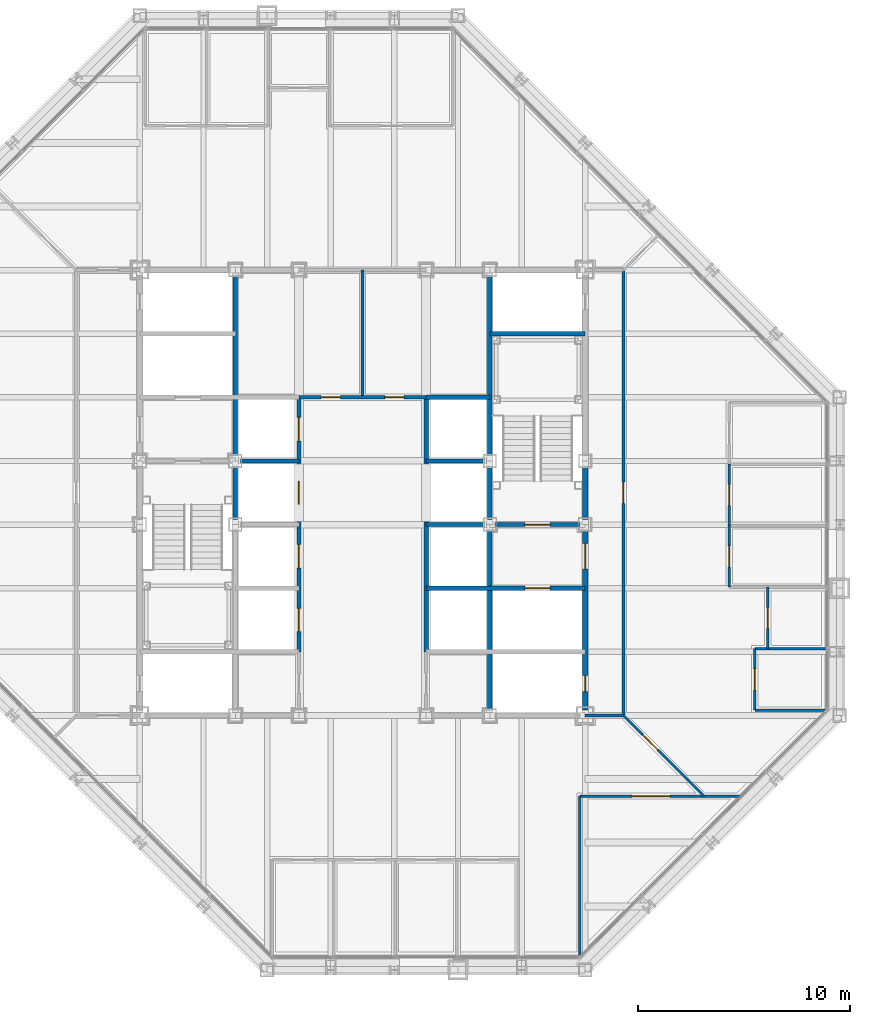
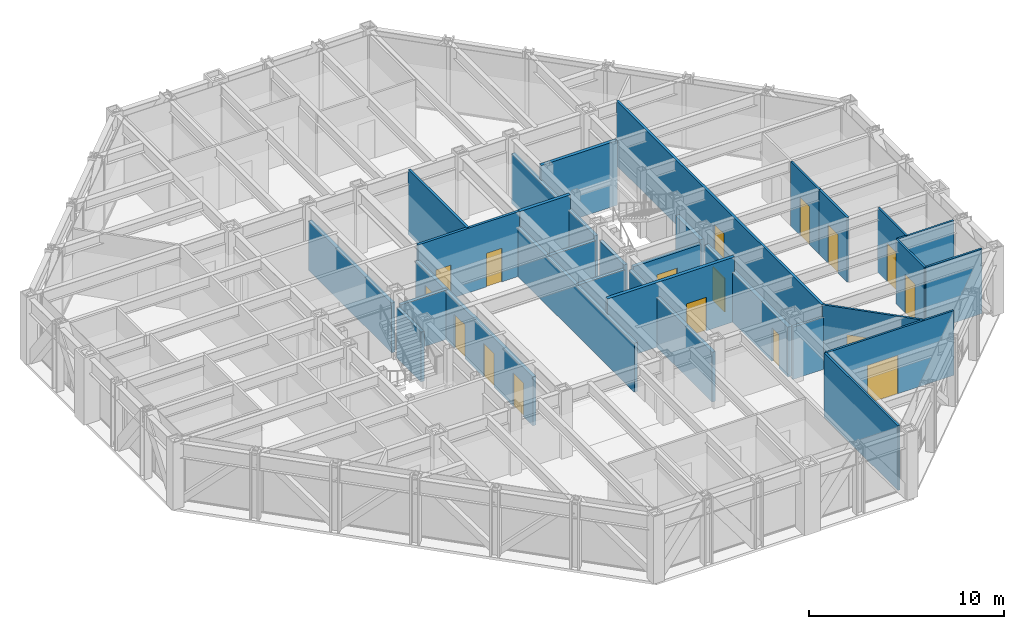
# One storey, part 11 of 15: 29 walls, 17 doors, 17 openings.
"""IFC4 building model written with IfcOpenShell, lengths in metres."""

import ifcopenshell
import ifcopenshell.guid

model = None  # the IFC model being written
_history = None  # IfcOwnerHistory: only IFC2X3 demands one
_inside = {}  # id of a spatial element -> (the spatial element, [elements in it])
_under = {}  # id of a project, library or spatial element -> (it, [spatial elements below it])
_declared = {}  # id of a project -> (the project, [libraries it declares])
_typed = {}  # id of a type object -> (the type object, [elements of that type])
_made_of = {}  # id of a material, layer set ... -> (it, [elements and type objects made of it])


def new_model(schema):
    """Start an empty IFC model of exactly this schema.

    Asked for "IFC4X3", IfcOpenShell would pick the latest addendum, in which some entities
    have other attributes; the version numbers below select the first issue.
    IFC2X3 requires an IfcOwnerHistory on every rooted entity: one is made here for all.
    """
    global model, _history
    if schema == "IFC4X3":
        model = ifcopenshell.file(schema_version=(4, 3, 0, 0))
    else:
        model = ifcopenshell.file(schema=schema)
    _inside.clear()
    _under.clear()
    _declared.clear()
    _typed.clear()
    _made_of.clear()
    _history = None
    if model.schema == "IFC2X3":
        org = make("IfcOrganization", Name="unknown")
        user = make(
            "IfcPersonAndOrganization",
            ThePerson=make("IfcPerson", FamilyName="unknown"),
            TheOrganization=org,
        )
        app = make(
            "IfcApplication",
            ApplicationDeveloper=org,
            Version="unknown",
            ApplicationFullName="unknown",
            ApplicationIdentifier="unknown",
        )
        _history = make(
            "IfcOwnerHistory",
            OwningUser=user,
            OwningApplication=app,
            ChangeAction="ADDED",
            CreationDate=0,
        )
    return model


def make(cls, **values):
    """One entity of the class cls with the attributes given. An attribute that is None is left unset."""
    return model.create_entity(
        cls, **{name: value for name, value in values.items() if value is not None}
    )


def rooted(cls, **values):
    """An entity with a GlobalId (a new one), such as an element, a storey or a relation."""
    return make(cls, GlobalId=ifcopenshell.guid.new(), OwnerHistory=_history, **values)


def si_unit(unit_type, name, prefix=None):
    """IfcSIUnit, for example si_unit("LENGTHUNIT", "METRE", prefix="MILLI")."""
    return make("IfcSIUnit", UnitType=unit_type, Prefix=prefix, Name=name)


def assignment(units):
    """IfcUnitAssignment: the units of a project."""
    return None if units is None else make("IfcUnitAssignment", Units=units)


def point(xyz):
    """IfcCartesianPoint."""
    return None if xyz is None else make("IfcCartesianPoint", Coordinates=xyz)


def direction(xyz):
    """IfcDirection."""
    return None if xyz is None else make("IfcDirection", DirectionRatios=xyz)


def frame(location, z_axis=None, x_axis=None):
    """IfcAxis2Placement3D, a coordinate frame: its origin and axes. An axis left out is left unset."""
    return make(
        "IfcAxis2Placement3D",
        Location=point(location),
        Axis=direction(z_axis),
        RefDirection=direction(x_axis),
    )


def frame_2d(location, x_axis=None):
    """IfcAxis2Placement2D, a coordinate frame in the plane: its origin and x axis."""
    return make(
        "IfcAxis2Placement2D", Location=point(location), RefDirection=direction(x_axis)
    )


def origin():
    """The frame at (0, 0, 0) with its axes left unset."""
    return frame((0.0, 0.0, 0.0))


def place(relative_to, where):
    """IfcLocalPlacement: puts the frame where relative to a parent placement (None: the world)."""
    return make(
        "IfcLocalPlacement", PlacementRelTo=relative_to, RelativePlacement=where
    )


def context(
    kind, dimensions, precision=None, world=None, true_north=None, identifier=None
):
    """IfcGeometricRepresentationContext, for example the 3D "Model" context."""
    return make(
        "IfcGeometricRepresentationContext",
        ContextIdentifier=identifier,
        ContextType=kind,
        CoordinateSpaceDimension=dimensions,
        Precision=precision,
        WorldCoordinateSystem=world,
        TrueNorth=true_north,
    )


def subcontext(parent, identifier, kind, view, scale=None):
    """IfcGeometricRepresentationSubContext, for example "Body" below "Model"."""
    return make(
        "IfcGeometricRepresentationSubContext",
        ContextIdentifier=identifier,
        ContextType=kind,
        ParentContext=parent,
        TargetScale=scale,
        TargetView=view,
    )


def project(units=None, contexts=None):
    """IfcProject with its units and contexts."""
    return rooted(
        "IfcProject",
        Name="project",
        RepresentationContexts=contexts,
        UnitsInContext=assignment(units),
    )


def spatial(cls, under=None, at=None, **own):
    """A site, building, storey or space (cls), placed at a placement, below another one or the project."""
    s = rooted(cls, ObjectPlacement=at, **own)
    if under is not None:
        _under.setdefault(under.id(), (under, []))[1].append(s)
    return s


def profile(cls, at=None, kind="AREA", **sizes):
    """A parametric profile (cls). Its sizes go by their IFC names, for example OverallWidth=200.0."""
    return make(cls, ProfileType=kind, Position=at, **sizes)


def rectangle(**sizes):
    """IfcRectangleProfileDef."""
    return profile("IfcRectangleProfileDef", **sizes)


def extrude(swept, where, along, depth):
    """IfcExtrudedAreaSolid: the profile swept, set in the frame where, extruded along a direction by depth."""
    return make(
        "IfcExtrudedAreaSolid",
        SweptArea=swept,
        Position=where,
        ExtrudedDirection=direction(along),
        Depth=depth,
    )


def shape(context_of_items, identifier, shape_type, items):
    """IfcShapeRepresentation: the items that make up one representation, for example the "Body"."""
    return make(
        "IfcShapeRepresentation",
        ContextOfItems=context_of_items,
        RepresentationIdentifier=identifier,
        RepresentationType=shape_type,
        Items=items,
    )


def material(Name=None, Category=None):
    """IfcMaterial."""
    return make("IfcMaterial", Name=Name, Category=Category)


def layer(
    of_material, thickness, ventilated=None, Name=None, Category=None, Priority=None
):
    """IfcMaterialLayer: one layer of a wall or slab, of a material (None: an air gap)."""
    return make(
        "IfcMaterialLayer",
        Material=of_material,
        LayerThickness=thickness,
        IsVentilated=ventilated,
        Name=Name,
        Category=Category,
        Priority=Priority,
    )


def layer_set(layers, Name=None):
    """IfcMaterialLayerSet."""
    return make("IfcMaterialLayerSet", MaterialLayers=layers, LayerSetName=Name)


def made_of(thing, what):
    """Note that an element or type object is made of a material, layer set ...; save() writes the relation."""
    if what is not None:
        _made_of.setdefault(what.id(), (what, []))[1].append(thing)
    return thing


def type_object(cls, material=None, **own):
    """A type object (cls), such as IfcWallType, which elements share."""
    return made_of(rooted(cls, **own), material)


def element(
    cls,
    number,
    at=None,
    inside=None,
    cuts=None,
    type_object=None,
    material=None,
    context=None,
    identifier="Body",
    shape_type=None,
    held_by="IfcProductDefinitionShape",
    body=None,
    shapes=None,
    **own,
):
    """One element of the class cls, such as IfcWall. Its Tag is "e" and its number.

    at: its placement. inside: the storey or other place that contains it. cuts: it is an
    opening in that element (IfcRelVoidsElement). A single representation is given by context,
    identifier, shape_type and body (its items); several are given by shapes. held_by: the class
    of the entity that holds the representations. save() writes the other relations.
    """
    e = rooted(cls, Tag="e%d" % number, ObjectPlacement=at, **own)
    if body is not None:
        shapes = [shape(context, identifier, shape_type, body)]
    if shapes is not None:
        e.Representation = make(held_by, Representations=shapes)
    if inside is not None:
        _inside.setdefault(inside.id(), (inside, []))[1].append(e)
    if cuts is not None:
        rooted(
            "IfcRelVoidsElement", RelatingBuildingElement=cuts, RelatedOpeningElement=e
        )
    if type_object is not None:
        _typed.setdefault(type_object.id(), (type_object, []))[1].append(e)
    return made_of(e, material)


def fill(opening, filler):
    """IfcRelFillsElement: the door or window that sits in an opening."""
    return rooted(
        "IfcRelFillsElement",
        RelatingOpeningElement=opening,
        RelatedBuildingElement=filler,
    )


def aggregate(whole, parts):
    """IfcRelAggregates: a whole, such as a stair, and the parts it consists of."""
    return rooted("IfcRelAggregates", RelatingObject=whole, RelatedObjects=parts)


def save(model, path):
    """Write the relations noted so far, then the file.

    IfcRelAggregates (storeys below a building ...), IfcRelContainedInSpatialStructure (elements
    in a storey), IfcRelDefinesByType, IfcRelAssociatesMaterial and IfcRelDeclares: one each for
    every whole, place, type object, material and project.
    """
    for whole, parts in _under.values():
        aggregate(whole, parts)
    for where, things in _inside.values():
        rooted(
            "IfcRelContainedInSpatialStructure",
            RelatedElements=things,
            RelatingStructure=where,
        )
    for kind, things in _typed.values():
        rooted("IfcRelDefinesByType", RelatedObjects=things, RelatingType=kind)
    for what, things in _made_of.values():
        rooted("IfcRelAssociatesMaterial", RelatedObjects=things, RelatingMaterial=what)
    for by, libraries in _declared.values():
        rooted("IfcRelDeclares", RelatingContext=by, RelatedDefinitions=libraries)
    model.write(path)


model = new_model("IFC4")

# Units and contexts
model_context = context("Model", 3, precision=1e-05, world=origin(), true_north=direction((0.0, 1.0)))
body_context = subcontext(model_context, "Body", "Model", "MODEL_VIEW")
ifc_project = project(units=[si_unit("LENGTHUNIT", "METRE"), si_unit("AREAUNIT", "SQUARE_METRE"), si_unit("VOLUMEUNIT", "CUBIC_METRE"), si_unit("PLANEANGLEUNIT", "RADIAN"), si_unit("MASSUNIT", "GRAM", prefix="KILO")], contexts=[model_context])

# Site, building, storey
site_placement = place(None, origin())
site = spatial("IfcSite", under=ifc_project, at=site_placement, CompositionType="ELEMENT")
building_placement = place(site_placement, origin())
building = spatial("IfcBuilding", under=site, at=building_placement, Name="Chuquiago Exchange Tower", CompositionType="ELEMENT")
storey_placement = place(building_placement, frame((0.0, 0.0, 184.5)))
storey = spatial("IfcBuildingStorey", under=building, at=storey_placement, Name="L40", CompositionType="ELEMENT", Elevation=184.5)

# Wall, openings, doors
ifc_material_1 = material(Name="Concrete masonry, fully grouted", Category="masonry")
ifc_layer_1 = layer(ifc_material_1, 0.25)
ifc_layer_set_1 = layer_set([ifc_layer_1], Name="W1 core wall 250")
wall_type_1 = type_object("IfcWallType", Name="W1 core wall 250", PredefinedType="SOLIDWALL", material=ifc_layer_set_1)
wall_1_placement = place(storey_placement, frame((33.0, 12.25, 0.0), z_axis=(0.0, 0.0, 1.0), x_axis=(0.0, 1.0, 0.0)))
wall_1 = element("IfcWall", 1, at=wall_1_placement, inside=storey, type_object=wall_type_1, Name="CW-L40-25-0", PredefinedType="SOLIDWALL", context=body_context, shape_type="SweptSolid", body=[
    extrude(rectangle(XDim=8.5, YDim=0.25, at=frame_2d((4.25, 0.0))), origin(), (0.0, 0.0, 1.0), 3.11279296875),
])
opening_1_placement = place(wall_1_placement, frame((6.64990234375, 0.0, 0.0)))
opening_1 = element("IfcOpeningElement", 2, at=opening_1_placement, cuts=wall_1, Name="Opening L40-004", PredefinedType="OPENING", context=body_context, shape_type="SweptSolid", body=[
    extrude(rectangle(XDim=1.199951171875, YDim=2.10009765625, at=frame_2d((0.60009765625, 1.050048828125))), frame((0.0, 0.135009765625, 0.0), z_axis=(0.0, -1.0, 0.0), x_axis=(1.0, 0.0, 0.0)), (0.0, 0.0, 1.0), 0.27001953125),
])
opening_2_placement = place(wall_1_placement, frame((0.875, 0.0, 0.0)))
opening_2 = element("IfcOpeningElement", 3, at=opening_2_placement, cuts=wall_1, Name="Opening L40-009", PredefinedType="OPENING", context=body_context, shape_type="SweptSolid", body=[
    extrude(rectangle(XDim=0.75, YDim=2.10009765625, at=frame_2d((0.375, 1.050048828125))), frame((0.0, 0.135009765625, 0.0), z_axis=(0.0, -1.0, 0.0), x_axis=(1.0, 0.0, 0.0)), (0.0, 0.0, 1.0), 0.27001953125),
])
ifc_material_2 = material(Name="Steel door, painted", Category="steel")
door_type_1 = type_object("IfcDoorType", Name="D5 firefighting lobby door 1200x2100", OperationType="SINGLE_SWING_LEFT", PredefinedType="DOOR", material=ifc_material_2)
door_1_placement = place(opening_1_placement, origin())
door_1 = element("IfcDoor", 4, at=door_1_placement, inside=storey, type_object=door_type_1, Name="Firefighting lobby 2 door", OperationType="SINGLE_SWING_RIGHT", OverallHeight=2.10009765625, OverallWidth=1.199951171875, PredefinedType="DOOR", context=body_context, shape_type="SweptSolid", body=[
    extrude(rectangle(XDim=1.199951171875, YDim=2.10009765625, at=frame_2d((0.60009765625, 1.050048828125))), frame((0.0, 0.02490234375, 0.0), z_axis=(0.0, -1.0, 0.0), x_axis=(1.0, 0.0, 0.0)), (0.0, 0.0, 1.0), 0.050048828125),
])
fill(opening_1, door_1)
ifc_material_3 = material(Name="Steel door, painted", Category="steel")
door_type_2 = type_object("IfcDoorType", Name="D6 riser access door 750x2100", OperationType="SINGLE_SWING_LEFT", PredefinedType="DOOR", material=ifc_material_3)
door_2_placement = place(opening_2_placement, frame((0.75, 0.0, 0.0), z_axis=(0.0, 0.0, 1.0), x_axis=(-1.0, 0.0, 0.0)))
door_2 = element("IfcDoor", 5, at=door_2_placement, inside=storey, type_object=door_type_2, Name="Riser RE1 door", OperationType="SINGLE_SWING_RIGHT", OverallHeight=2.10009765625, OverallWidth=0.75, PredefinedType="DOOR", context=body_context, shape_type="SweptSolid", body=[
    extrude(rectangle(XDim=0.75, YDim=2.10009765625, at=frame_2d((0.375, 1.050048828125))), frame((0.0, 0.02490234375, 0.0), z_axis=(0.0, -1.0, 0.0), x_axis=(1.0, 0.0, 0.0)), (0.0, 0.0, 1.0), 0.050048828125),
])
fill(opening_2, door_2)

# Wall
wall_2_placement = place(storey_placement, frame((33.0, 21.25, 0.0), z_axis=(0.0, 0.0, 1.0), x_axis=(0.0, 1.0, 0.0)))
element("IfcWall", 6, at=wall_2_placement, inside=storey, type_object=wall_type_1, Name="CW-L40-25-1", PredefinedType="SOLIDWALL", context=body_context, shape_type="SweptSolid", body=[
    extrude(rectangle(XDim=2.5, YDim=0.25, at=frame_2d((1.25, 0.0))), origin(), (0.0, 0.0, 1.0), 3.11279296875),
])

# Wall, opening, door
ifc_material_4 = material(Name="Gypsum board on steel studs, acoustic insulation", Category="steel")
ifc_layer_2 = layer(ifc_material_4, 0.14990234375)
ifc_layer_set_2 = layer_set([ifc_layer_2], Name="W11 corridor wall 150")
wall_type_2 = type_object("IfcWallType", Name="W11 corridor wall 150", PredefinedType="PARTITIONING", material=ifc_layer_set_2)
wall_3_placement = place(storey_placement, frame((34.800048828125, 12.0, 0.0), z_axis=(0.0, 0.0, 1.0), x_axis=(0.0, 1.0, 0.0)))
wall_3 = element("IfcWall", 7, at=wall_3_placement, inside=storey, type_object=wall_type_2, Name="PW-L40-GE0", PredefinedType="PARTITIONING", context=body_context, shape_type="SweptSolid", body=[
    extrude(rectangle(XDim=21.0, YDim=0.14990234375, at=frame_2d((10.5, 0.0))), origin(), (0.0, 0.0, 1.0), 4.0400390625),
])
opening_3_placement = place(wall_3_placement, frame((10.0, 0.0, 0.0)))
opening_3 = element("IfcOpeningElement", 8, at=opening_3_placement, cuts=wall_3, Name="Opening L40-040", PredefinedType="OPENING", context=body_context, shape_type="SweptSolid", body=[
    extrude(rectangle(XDim=1.0, YDim=2.39990234375, at=frame_2d((0.5, 1.199951171875))), frame((0.0, 0.0849609375, 0.0), z_axis=(0.0, -1.0, 0.0), x_axis=(1.0, 0.0, 0.0)), (0.0, 0.0, 1.0), 0.169921875),
])
ifc_material_5 = material(Name="Timber door, laminate faced", Category="wood")
door_type_3 = type_object("IfcDoorType", Name="D9 room door 1000x2400", OperationType="SINGLE_SWING_LEFT", PredefinedType="DOOR", material=ifc_material_5)
door_3_placement = place(opening_3_placement, frame((1.0, 0.0, 0.0), z_axis=(0.0, 0.0, 1.0), x_axis=(-1.0, 0.0, 0.0)))
door_3 = element("IfcDoor", 9, at=door_3_placement, inside=storey, type_object=door_type_3, Name="Team area door", OperationType="SINGLE_SWING_RIGHT", OverallHeight=2.39990234375, OverallWidth=1.0, PredefinedType="DOOR", context=body_context, shape_type="SweptSolid", body=[
    extrude(rectangle(XDim=1.0, YDim=2.39990234375, at=frame_2d((0.5, 1.199951171875))), frame((0.0, 0.02490234375, 0.0), z_axis=(0.0, -1.0, 0.0), x_axis=(1.0, 0.0, 0.0)), (0.0, 0.0, 1.0), 0.050048828125),
])
fill(opening_3, door_3)

# Walls
wall_4_placement = place(storey_placement, frame((33.0, 12.0, 0.0), z_axis=(0.0, 0.0, 1.0), x_axis=(1.0, 0.0, 0.0)))
element("IfcWall", 10, at=wall_4_placement, inside=storey, type_object=wall_type_2, Name="PW-L40-GES0", PredefinedType="PARTITIONING", context=body_context, shape_type="SweptSolid", body=[
    extrude(rectangle(XDim=1.800048828125, YDim=0.14990234375, at=frame_2d((0.89990234375, 0.0))), origin(), (0.0, 0.0, 1.0), 3.2705078125),
])
ifc_material_6 = material(Name="Concrete masonry, fully grouted", Category="masonry")
ifc_layer_3 = layer(ifc_material_6, 0.199951171875)
ifc_layer_set_3 = layer_set([ifc_layer_3], Name="W2 shaft wall 200")
wall_type_3 = type_object("IfcWallType", Name="W2 shaft wall 200", PredefinedType="SOLIDWALL", material=ifc_layer_set_3)
for number, where, z_axis, x_axis, name in (
    (11, (16.75, 24.0, 0.0), (0.0, 0.0, 1.0), (1.0, 0.0, 0.0), "CW-L40-05-1"),
    (12, (25.5, 24.0, 0.0), (0.0, 0.0, 1.0), (1.0, 0.0, 0.0), "CW-L40-06-0"),
):
    element("IfcWall", number, at=place(storey_placement, frame(where, z_axis=z_axis, x_axis=x_axis)), inside=storey, type_object=wall_type_3, Name=name, PredefinedType="SOLIDWALL", context=body_context, shape_type="SweptSolid", body=[
        extrude(rectangle(XDim=2.75, YDim=0.199951171875, at=frame_2d((1.375, 0.0))), origin(), (0.0, 0.0, 1.0), 3.090087890625),
    ])
wall_5_placement = place(storey_placement, frame((25.5, 27.0, 0.0), z_axis=(0.0, 0.0, 1.0), x_axis=(1.0, 0.0, 0.0)))
element("IfcWall", 13, at=wall_5_placement, inside=storey, type_object=wall_type_3, Name="CW-L40-08-0", PredefinedType="SOLIDWALL", context=body_context, shape_type="SweptSolid", body=[
    extrude(rectangle(XDim=3.0, YDim=0.199951171875, at=frame_2d((1.5, 0.0))), origin(), (0.0, 0.0, 1.0), 4.0400390625),
])
wall_6_placement = place(storey_placement, frame((28.5, 30.0, 0.0), z_axis=(0.0, 0.0, 1.0), x_axis=(1.0, 0.0, 0.0)))
element("IfcWall", 14, at=wall_6_placement, inside=storey, type_object=wall_type_3, Name="CW-L40-10-0", PredefinedType="SOLIDWALL", context=body_context, shape_type="SweptSolid", body=[
    extrude(rectangle(XDim=4.5, YDim=0.199951171875, at=frame_2d((2.25, 0.0))), origin(), (0.0, 0.0, 1.0), 4.0400390625),
])
wall_7_placement = place(storey_placement, frame((16.5, 21.25, 0.0), z_axis=(0.0, 0.0, 1.0), x_axis=(0.0, 1.0, 0.0)))
element("IfcWall", 15, at=wall_7_placement, inside=storey, type_object=wall_type_3, Name="CW-L40-13-1", PredefinedType="SOLIDWALL", context=body_context, shape_type="SweptSolid", body=[
    extrude(rectangle(XDim=2.5, YDim=0.199951171875, at=frame_2d((1.25, 0.0))), origin(), (0.0, 0.0, 1.0), 3.11279296875),
])
wall_8_placement = place(storey_placement, frame((16.5, 24.25, 0.0), z_axis=(0.0, 0.0, 1.0), x_axis=(0.0, 1.0, 0.0)))
element("IfcWall", 16, at=wall_8_placement, inside=storey, type_object=wall_type_3, Name="CW-L40-13-2", PredefinedType="SOLIDWALL", context=body_context, shape_type="SweptSolid", body=[
    extrude(rectangle(XDim=8.5, YDim=0.199951171875, at=frame_2d((4.25, 0.0))), origin(), (0.0, 0.0, 1.0), 3.11279296875),
])

# Wall, opening, door
wall_9_placement = place(storey_placement, frame((25.5, 18.0, 0.0), z_axis=(0.0, 0.0, 1.0), x_axis=(1.0, 0.0, 0.0)))
wall_9 = element("IfcWall", 17, at=wall_9_placement, inside=storey, type_object=wall_type_3, Name="CW-L40-15-0", PredefinedType="SOLIDWALL", context=body_context, shape_type="SweptSolid", body=[
    extrude(rectangle(XDim=7.5, YDim=0.199951171875, at=frame_2d((3.75, 0.0))), origin(), (0.0, 0.0, 1.0), 4.0400390625),
])
opening_4_placement = place(wall_9_placement, frame((4.64990234375, 0.0, 0.0)))
opening_4 = element("IfcOpeningElement", 18, at=opening_4_placement, cuts=wall_9, Name="Opening L40-006", PredefinedType="OPENING", context=body_context, shape_type="SweptSolid", body=[
    extrude(rectangle(XDim=1.199951171875, YDim=2.10009765625, at=frame_2d((0.60009765625, 1.050048828125))), frame((0.0, 0.10986328125, 0.0), z_axis=(0.0, -1.0, 0.0), x_axis=(1.0, 0.0, 0.0)), (0.0, 0.0, 1.0), 0.219970703125),
])
ifc_material_7 = material(Name="Stainless steel lift landing door", Category="steel")
door_type_4 = type_object("IfcDoorType", Name="LD2 firefighting lift landing door 1200x2100", OperationType="DOUBLE_DOOR_SLIDING", PredefinedType="DOOR", material=ifc_material_7)
door_4_placement = place(opening_4_placement, origin())
door_4 = element("IfcDoor", 19, at=door_4_placement, inside=storey, type_object=door_type_4, Name="Firefighting lift FL2 landing door", OperationType="DOUBLE_DOOR_SLIDING", OverallHeight=2.10009765625, OverallWidth=1.199951171875, PredefinedType="DOOR", context=body_context, shape_type="SweptSolid", body=[
    extrude(rectangle(XDim=1.199951171875, YDim=2.10009765625, at=frame_2d((0.60009765625, 1.050048828125))), frame((0.0, 0.02490234375, 0.0), z_axis=(0.0, -1.0, 0.0), x_axis=(1.0, 0.0, 0.0)), (0.0, 0.0, 1.0), 0.050048828125),
])
fill(opening_4, door_4)

# Wall
wall_10_placement = place(storey_placement, frame((25.5, 21.0, 0.0), z_axis=(0.0, 0.0, 1.0), x_axis=(1.0, 0.0, 0.0)))
element("IfcWall", 20, at=wall_10_placement, inside=storey, type_object=wall_type_3, Name="CW-L40-17-0", PredefinedType="SOLIDWALL", context=body_context, shape_type="SweptSolid", body=[
    extrude(rectangle(XDim=2.75, YDim=0.199951171875, at=frame_2d((1.375, 0.0))), origin(), (0.0, 0.0, 1.0), 3.090087890625),
])

# Wall, opening, door
wall_11_placement = place(storey_placement, frame((28.75, 21.0, 0.0), z_axis=(0.0, 0.0, 1.0), x_axis=(1.0, 0.0, 0.0)))
wall_11 = element("IfcWall", 21, at=wall_11_placement, inside=storey, type_object=wall_type_3, Name="CW-L40-17-1", PredefinedType="SOLIDWALL", context=body_context, shape_type="SweptSolid", body=[
    extrude(rectangle(XDim=4.0, YDim=0.199951171875, at=frame_2d((2.0, 0.0))), origin(), (0.0, 0.0, 1.0), 3.090087890625),
])
opening_5_placement = place(wall_11_placement, frame((1.39990234375, 0.0, 0.0)))
opening_5 = element("IfcOpeningElement", 22, at=opening_5_placement, cuts=wall_11, Name="Opening L40-003", PredefinedType="OPENING", context=body_context, shape_type="SweptSolid", body=[
    extrude(rectangle(XDim=1.199951171875, YDim=2.10009765625, at=frame_2d((0.60009765625, 1.050048828125))), frame((0.0, 0.10986328125, 0.0), z_axis=(0.0, -1.0, 0.0), x_axis=(1.0, 0.0, 0.0)), (0.0, 0.0, 1.0), 0.219970703125),
])
ifc_material_8 = material(Name="Steel door, painted", Category="steel")
door_type_5 = type_object("IfcDoorType", Name="D4 stair door 1200x2100", OperationType="SINGLE_SWING_LEFT", PredefinedType="DOOR", material=ifc_material_8)
door_5_placement = place(opening_5_placement, origin())
door_5 = element("IfcDoor", 23, at=door_5_placement, inside=storey, type_object=door_type_5, Name="Stair ST2 door", OperationType="SINGLE_SWING_LEFT", OverallHeight=2.10009765625, OverallWidth=1.199951171875, PredefinedType="DOOR", context=body_context, shape_type="SweptSolid", body=[
    extrude(rectangle(XDim=1.199951171875, YDim=2.10009765625, at=frame_2d((0.60009765625, 1.050048828125))), frame((0.0, 0.02490234375, 0.0), z_axis=(0.0, -1.0, 0.0), x_axis=(1.0, 0.0, 0.0)), (0.0, 0.0, 1.0), 0.050048828125),
])
fill(opening_5, door_5)

# Wall, openings, doors
wall_12_placement = place(storey_placement, frame((19.5, 15.0, 0.0), z_axis=(0.0, 0.0, 1.0), x_axis=(0.0, 1.0, 0.0)))
wall_12 = element("IfcWall", 24, at=wall_12_placement, inside=storey, type_object=wall_type_3, Name="CW-L40-19-0", PredefinedType="SOLIDWALL", context=body_context, shape_type="SweptSolid", body=[
    extrude(rectangle(XDim=12.0, YDim=0.199951171875, at=frame_2d((6.0, 0.0))), origin(), (0.0, 0.0, 1.0), 3.064697265625),
])
opening_6_placement = place(wall_12_placement, frame((0.949951171875, 0.0, 0.0)))
opening_6 = element("IfcOpeningElement", 25, at=opening_6_placement, cuts=wall_12, Name="Opening L40-015", PredefinedType="OPENING", context=body_context, shape_type="SweptSolid", body=[
    extrude(rectangle(XDim=1.10009765625, YDim=2.10009765625, at=frame_2d((0.550048828125, 1.050048828125))), frame((0.0, 0.10986328125, 0.0), z_axis=(0.0, -1.0, 0.0), x_axis=(1.0, 0.0, 0.0)), (0.0, 0.0, 1.0), 0.219970703125),
])
opening_7_placement = place(wall_12_placement, frame((3.949951171875, 0.0, 0.0)))
opening_7 = element("IfcOpeningElement", 26, at=opening_7_placement, cuts=wall_12, Name="Opening L40-016", PredefinedType="OPENING", context=body_context, shape_type="SweptSolid", body=[
    extrude(rectangle(XDim=1.10009765625, YDim=2.10009765625, at=frame_2d((0.550048828125, 1.050048828125))), frame((0.0, 0.10986328125, 0.0), z_axis=(0.0, -1.0, 0.0), x_axis=(1.0, 0.0, 0.0)), (0.0, 0.0, 1.0), 0.219970703125),
])
opening_8_placement = place(wall_12_placement, frame((6.949951171875, 0.0, 0.0)))
opening_8 = element("IfcOpeningElement", 27, at=opening_8_placement, cuts=wall_12, Name="Opening L40-017", PredefinedType="OPENING", context=body_context, shape_type="SweptSolid", body=[
    extrude(rectangle(XDim=1.10009765625, YDim=2.10009765625, at=frame_2d((0.550048828125, 1.050048828125))), frame((0.0, 0.10986328125, 0.0), z_axis=(0.0, -1.0, 0.0), x_axis=(1.0, 0.0, 0.0)), (0.0, 0.0, 1.0), 0.219970703125),
])
opening_9_placement = place(wall_12_placement, frame((9.949951171875, 0.0, 0.0)))
opening_9 = element("IfcOpeningElement", 28, at=opening_9_placement, cuts=wall_12, Name="Opening L40-018", PredefinedType="OPENING", context=body_context, shape_type="SweptSolid", body=[
    extrude(rectangle(XDim=1.10009765625, YDim=2.10009765625, at=frame_2d((0.550048828125, 1.050048828125))), frame((0.0, 0.10986328125, 0.0), z_axis=(0.0, -1.0, 0.0), x_axis=(1.0, 0.0, 0.0)), (0.0, 0.0, 1.0), 0.219970703125),
])
ifc_material_9 = material(Name="Stainless steel lift landing door", Category="steel")
door_type_6 = type_object("IfcDoorType", Name="LD1 lift landing door 1100x2100", OperationType="DOUBLE_DOOR_SLIDING", PredefinedType="DOOR", material=ifc_material_9)
door_6_placement = place(opening_6_placement, origin())
door_6 = element("IfcDoor", 29, at=door_6_placement, inside=storey, type_object=door_type_6, Name="Lift LC1 landing door", OperationType="DOUBLE_DOOR_SLIDING", OverallHeight=2.10009765625, OverallWidth=1.10009765625, PredefinedType="DOOR", context=body_context, shape_type="SweptSolid", body=[
    extrude(rectangle(XDim=1.10009765625, YDim=2.10009765625, at=frame_2d((0.550048828125, 1.050048828125))), frame((0.0, 0.02490234375, 0.0), z_axis=(0.0, -1.0, 0.0), x_axis=(1.0, 0.0, 0.0)), (0.0, 0.0, 1.0), 0.050048828125),
])
fill(opening_6, door_6)
door_7_placement = place(opening_7_placement, origin())
door_7 = element("IfcDoor", 30, at=door_7_placement, inside=storey, type_object=door_type_6, Name="Lift LC2 landing door", OperationType="DOUBLE_DOOR_SLIDING", OverallHeight=2.10009765625, OverallWidth=1.10009765625, PredefinedType="DOOR", context=body_context, shape_type="SweptSolid", body=[
    extrude(rectangle(XDim=1.10009765625, YDim=2.10009765625, at=frame_2d((0.550048828125, 1.050048828125))), frame((0.0, 0.02490234375, 0.0), z_axis=(0.0, -1.0, 0.0), x_axis=(1.0, 0.0, 0.0)), (0.0, 0.0, 1.0), 0.050048828125),
])
fill(opening_7, door_7)
door_8_placement = place(opening_8_placement, origin())
door_8 = element("IfcDoor", 31, at=door_8_placement, inside=storey, type_object=door_type_6, Name="Lift LC3 landing door", OperationType="DOUBLE_DOOR_SLIDING", OverallHeight=2.10009765625, OverallWidth=1.10009765625, PredefinedType="DOOR", context=body_context, shape_type="SweptSolid", body=[
    extrude(rectangle(XDim=1.10009765625, YDim=2.10009765625, at=frame_2d((0.550048828125, 1.050048828125))), frame((0.0, 0.02490234375, 0.0), z_axis=(0.0, -1.0, 0.0), x_axis=(1.0, 0.0, 0.0)), (0.0, 0.0, 1.0), 0.050048828125),
])
fill(opening_8, door_8)
door_9_placement = place(opening_9_placement, origin())
door_9 = element("IfcDoor", 32, at=door_9_placement, inside=storey, type_object=door_type_6, Name="Lift LC4 landing door", OperationType="DOUBLE_DOOR_SLIDING", OverallHeight=2.10009765625, OverallWidth=1.10009765625, PredefinedType="DOOR", context=body_context, shape_type="SweptSolid", body=[
    extrude(rectangle(XDim=1.10009765625, YDim=2.10009765625, at=frame_2d((0.550048828125, 1.050048828125))), frame((0.0, 0.02490234375, 0.0), z_axis=(0.0, -1.0, 0.0), x_axis=(1.0, 0.0, 0.0)), (0.0, 0.0, 1.0), 0.050048828125),
])
fill(opening_9, door_9)

# Walls
wall_13_placement = place(storey_placement, frame((25.5, 15.0, 0.0), z_axis=(0.0, 0.0, 1.0), x_axis=(0.0, 1.0, 0.0)))
element("IfcWall", 33, at=wall_13_placement, inside=storey, type_object=wall_type_3, Name="CW-L40-22-0", PredefinedType="SOLIDWALL", context=body_context, shape_type="SweptSolid", body=[
    extrude(rectangle(XDim=12.0, YDim=0.199951171875, at=frame_2d((6.0, 0.0))), origin(), (0.0, 0.0, 1.0), 3.064697265625),
])
wall_14_placement = place(storey_placement, frame((28.5, 12.25, 0.0), z_axis=(0.0, 0.0, 1.0), x_axis=(0.0, 1.0, 0.0)))
element("IfcWall", 34, at=wall_14_placement, inside=storey, type_object=wall_type_3, Name="CW-L40-24-0", PredefinedType="SOLIDWALL", context=body_context, shape_type="SweptSolid", body=[
    extrude(rectangle(XDim=8.5, YDim=0.199951171875, at=frame_2d((4.25, 0.0))), origin(), (0.0, 0.0, 1.0), 3.11279296875),
])
wall_15_placement = place(storey_placement, frame((28.5, 21.25, 0.0), z_axis=(0.0, 0.0, 1.0), x_axis=(0.0, 1.0, 0.0)))
element("IfcWall", 35, at=wall_15_placement, inside=storey, type_object=wall_type_3, Name="CW-L40-24-1", PredefinedType="SOLIDWALL", context=body_context, shape_type="SweptSolid", body=[
    extrude(rectangle(XDim=2.5, YDim=0.199951171875, at=frame_2d((1.25, 0.0))), origin(), (0.0, 0.0, 1.0), 3.11279296875),
])
wall_16_placement = place(storey_placement, frame((28.5, 24.25, 0.0), z_axis=(0.0, 0.0, 1.0), x_axis=(0.0, 1.0, 0.0)))
element("IfcWall", 36, at=wall_16_placement, inside=storey, type_object=wall_type_3, Name="CW-L40-24-2", PredefinedType="SOLIDWALL", context=body_context, shape_type="SweptSolid", body=[
    extrude(rectangle(XDim=8.5, YDim=0.199951171875, at=frame_2d((4.25, 0.0))), origin(), (0.0, 0.0, 1.0), 3.11279296875),
])

# Wall, openings, doors
ifc_material_10 = material(Name="Gypsum board on steel studs", Category="steel")
ifc_layer_4 = layer(ifc_material_10, 0.14990234375)
ifc_layer_set_4 = layer_set([ifc_layer_4], Name="W3 core partition 150")
wall_type_4 = type_object("IfcWallType", Name="W3 core partition 150", PredefinedType="PARTITIONING", material=ifc_layer_set_4)
wall_17_placement = place(storey_placement, frame((19.5, 27.0, 0.0), z_axis=(0.0, 0.0, 1.0), x_axis=(1.0, 0.0, 0.0)))
wall_17 = element("IfcWall", 37, at=wall_17_placement, inside=storey, type_object=wall_type_4, Name="CW-L40-TF", PredefinedType="PARTITIONING", context=body_context, shape_type="SweptSolid", body=[
    extrude(rectangle(XDim=6.0, YDim=0.14990234375, at=frame_2d((3.0, 0.0))), origin(), (0.0, 0.0, 1.0), 4.0400390625),
])
opening_10_placement = place(wall_17_placement, frame((1.050048828125, 0.0, 0.0)))
opening_10 = element("IfcOpeningElement", 38, at=opening_10_placement, cuts=wall_17, Name="Opening L40-011", PredefinedType="OPENING", context=body_context, shape_type="SweptSolid", body=[
    extrude(rectangle(XDim=0.89990234375, YDim=2.10009765625, at=frame_2d((0.449951171875, 1.050048828125))), frame((0.0, 0.0849609375, 0.0), z_axis=(0.0, -1.0, 0.0), x_axis=(1.0, 0.0, 0.0)), (0.0, 0.0, 1.0), 0.169921875),
])
opening_11_placement = place(wall_17_placement, frame((4.050048828125, 0.0, 0.0)))
opening_11 = element("IfcOpeningElement", 39, at=opening_11_placement, cuts=wall_17, Name="Opening L40-012", PredefinedType="OPENING", context=body_context, shape_type="SweptSolid", body=[
    extrude(rectangle(XDim=0.89990234375, YDim=2.10009765625, at=frame_2d((0.449951171875, 1.050048828125))), frame((0.0, 0.0849609375, 0.0), z_axis=(0.0, -1.0, 0.0), x_axis=(1.0, 0.0, 0.0)), (0.0, 0.0, 1.0), 0.169921875),
])
ifc_material_11 = material(Name="Timber door, laminate faced", Category="wood")
door_type_7 = type_object("IfcDoorType", Name="D7 toilet door 900x2100", OperationType="SINGLE_SWING_LEFT", PredefinedType="DOOR", material=ifc_material_11)
door_10_placement = place(opening_10_placement, origin())
door_10 = element("IfcDoor", 40, at=door_10_placement, inside=storey, type_object=door_type_7, Name="Male WC door", OperationType="SINGLE_SWING_RIGHT", OverallHeight=2.10009765625, OverallWidth=0.89990234375, PredefinedType="DOOR", context=body_context, shape_type="SweptSolid", body=[
    extrude(rectangle(XDim=0.89990234375, YDim=2.10009765625, at=frame_2d((0.449951171875, 1.050048828125))), frame((0.0, 0.02490234375, 0.0), z_axis=(0.0, -1.0, 0.0), x_axis=(1.0, 0.0, 0.0)), (0.0, 0.0, 1.0), 0.050048828125),
])
fill(opening_10, door_10)
door_11_placement = place(opening_11_placement, origin())
door_11 = element("IfcDoor", 41, at=door_11_placement, inside=storey, type_object=door_type_7, Name="Female WC door", OperationType="SINGLE_SWING_LEFT", OverallHeight=2.10009765625, OverallWidth=0.89990234375, PredefinedType="DOOR", context=body_context, shape_type="SweptSolid", body=[
    extrude(rectangle(XDim=0.89990234375, YDim=2.10009765625, at=frame_2d((0.449951171875, 1.050048828125))), frame((0.0, 0.02490234375, 0.0), z_axis=(0.0, -1.0, 0.0), x_axis=(1.0, 0.0, 0.0)), (0.0, 0.0, 1.0), 0.050048828125),
])
fill(opening_11, door_11)

# Walls
wall_18_placement = place(storey_placement, frame((22.5, 27.0, 0.0), z_axis=(0.0, 0.0, 1.0), x_axis=(0.0, 1.0, 0.0)))
element("IfcWall", 42, at=wall_18_placement, inside=storey, type_object=wall_type_4, Name="CW-L40-TM", PredefinedType="PARTITIONING", context=body_context, shape_type="SweptSolid", body=[
    extrude(rectangle(XDim=6.0, YDim=0.14990234375, at=frame_2d((3.0, 0.0))), origin(), (0.0, 0.0, 1.0), 4.0400390625),
])
ifc_material_12 = material(Name="Gypsum board on steel studs", Category="steel")
ifc_layer_5 = layer(ifc_material_12, 0.1201171875)
ifc_layer_set_5 = layer_set([ifc_layer_5], Name="W4 partition 120")
wall_type_5 = type_object("IfcWallType", Name="W4 partition 120", PredefinedType="PARTITIONING", material=ifc_layer_set_5)
wall_19_placement = place(storey_placement, frame((32.75146484375, 0.666015625, 0.0), z_axis=(0.0, 0.0, 1.0), x_axis=(0.0, 1.0, 0.0)))
element("IfcWall", 43, at=wall_19_placement, inside=storey, type_object=wall_type_5, Name="PW-L40-S03275", PredefinedType="PARTITIONING", context=body_context, shape_type="SweptSolid", body=[
    extrude(rectangle(XDim=7.533935546875, YDim=0.1201171875, at=frame_2d((3.76708984375, 0.0))), origin(), (0.0, 0.0, 1.0), 4.0400390625),
])

# Wall, opening, door
wall_20_placement = place(storey_placement, frame((32.75146484375, 8.199951171875, 0.0), z_axis=(0.0, 0.0, 1.0), x_axis=(1.0, 0.0, 0.0)))
wall_20 = element("IfcWall", 44, at=wall_20_placement, inside=storey, type_object=wall_type_5, Name="PW-L40-SF03275", PredefinedType="PARTITIONING", context=body_context, shape_type="SweptSolid", body=[
    extrude(rectangle(XDim=7.56298828125, YDim=0.1201171875, at=frame_2d((3.781494140625, 0.0))), origin(), (0.0, 0.0, 1.0), 4.0400390625),
])
opening_12_placement = place(wall_20_placement, frame((2.456298828125, 0.0, 0.0)))
opening_12 = element("IfcOpeningElement", 45, at=opening_12_placement, cuts=wall_20, Name="Opening L40-023", PredefinedType="OPENING", context=body_context, shape_type="SweptSolid", body=[
    extrude(rectangle(XDim=1.800048828125, YDim=2.39990234375, at=frame_2d((0.89990234375, 1.199951171875))), frame((0.0, 0.070068359375, 0.0), z_axis=(0.0, -1.0, 0.0), x_axis=(1.0, 0.0, 0.0)), (0.0, 0.0, 1.0), 0.14013671875),
])
ifc_material_13 = material(Name="Timber door pair, laminate faced", Category="wood")
door_type_8 = type_object("IfcDoorType", Name="D15 double room door 1800x2400", OperationType="DOUBLE_DOOR_DOUBLE_SWING", PredefinedType="DOOR", material=ifc_material_13)
door_12_placement = place(opening_12_placement, origin())
door_12 = element("IfcDoor", 46, at=door_12_placement, inside=storey, type_object=door_type_8, Name="Boardroom door", OperationType="DOUBLE_DOOR_DOUBLE_SWING", OverallHeight=2.39990234375, OverallWidth=1.800048828125, PredefinedType="DOOR", context=body_context, shape_type="SweptSolid", body=[
    extrude(rectangle(XDim=1.800048828125, YDim=2.39990234375, at=frame_2d((0.89990234375, 1.199951171875))), frame((0.0, 0.02490234375, 0.0), z_axis=(0.0, -1.0, 0.0), x_axis=(1.0, 0.0, 0.0)), (0.0, 0.0, 1.0), 0.050048828125),
])
fill(opening_12, door_12)

# Walls
wall_21_placement = place(storey_placement, frame((44.333984375, 12.24853515625, 0.0), z_axis=(0.0, 0.0, 1.0), x_axis=(-1.0, 0.0, 0.0)))
element("IfcWall", 47, at=wall_21_placement, inside=storey, type_object=wall_type_5, Name="PW-L40-E01225", PredefinedType="PARTITIONING", context=body_context, shape_type="SweptSolid", body=[
    extrude(rectangle(XDim=3.333984375, YDim=0.1201171875, at=frame_2d((1.6669921875, 0.0))), origin(), (0.0, 0.0, 1.0), 4.0400390625),
])
wall_22_placement = place(storey_placement, frame((44.347412109375, 15.149169921875, 0.0), z_axis=(0.0, 0.0, 1.0), x_axis=(-1.0, 0.0, 0.0)))
element("IfcWall", 48, at=wall_22_placement, inside=storey, type_object=wall_type_5, Name="PW-L40-E01515", PredefinedType="PARTITIONING", context=body_context, shape_type="SweptSolid", body=[
    extrude(rectangle(XDim=3.347412109375, YDim=0.1201171875, at=frame_2d((1.673828125, 0.0))), origin(), (0.0, 0.0, 1.0), 4.0400390625),
])

# Wall, opening, door
wall_23_placement = place(storey_placement, frame((41.0, 12.24853515625, 0.0), z_axis=(0.0, 0.0, 1.0), x_axis=(0.0, 1.0, 0.0)))
wall_23 = element("IfcWall", 49, at=wall_23_placement, inside=storey, type_object=wall_type_5, Name="PW-L40-EF01225", PredefinedType="PARTITIONING", context=body_context, shape_type="SweptSolid", body=[
    extrude(rectangle(XDim=2.900634765625, YDim=0.1201171875, at=frame_2d((1.4501953125, 0.0))), origin(), (0.0, 0.0, 1.0), 4.0400390625),
])
opening_13_placement = place(wall_23_placement, frame((0.9501953125, 0.0, 0.0)))
opening_13 = element("IfcOpeningElement", 50, at=opening_13_placement, cuts=wall_23, Name="Opening L40-024", PredefinedType="OPENING", context=body_context, shape_type="SweptSolid", body=[
    extrude(rectangle(XDim=1.0, YDim=2.39990234375, at=frame_2d((0.5, 1.199951171875))), frame((0.0, 0.070068359375, 0.0), z_axis=(0.0, -1.0, 0.0), x_axis=(1.0, 0.0, 0.0)), (0.0, 0.0, 1.0), 0.14013671875),
])
door_13_placement = place(opening_13_placement, frame((1.0, 0.0, 0.0), z_axis=(0.0, 0.0, 1.0), x_axis=(-1.0, 0.0, 0.0)))
door_13 = element("IfcDoor", 51, at=door_13_placement, inside=storey, type_object=door_type_3, Name="Pantry door", OperationType="SINGLE_SWING_RIGHT", OverallHeight=2.39990234375, OverallWidth=1.0, PredefinedType="DOOR", context=body_context, shape_type="SweptSolid", body=[
    extrude(rectangle(XDim=1.0, YDim=2.39990234375, at=frame_2d((0.5, 1.199951171875))), frame((0.0, 0.02490234375, 0.0), z_axis=(0.0, -1.0, 0.0), x_axis=(1.0, 0.0, 0.0)), (0.0, 0.0, 1.0), 0.050048828125),
])
fill(opening_13, door_13)

wall_24_placement = place(storey_placement, frame((41.60009765625, 15.149169921875, 0.0), z_axis=(0.0, 0.0, 1.0), x_axis=(0.0, 1.0, 0.0)))
wall_24 = element("IfcWall", 52, at=wall_24_placement, inside=storey, type_object=wall_type_5, Name="PW-L40-EF01515", PredefinedType="PARTITIONING", context=body_context, shape_type="SweptSolid", body=[
    extrude(rectangle(XDim=2.900634765625, YDim=0.1201171875, at=frame_2d((1.4501953125, 0.0))), origin(), (0.0, 0.0, 1.0), 4.0400390625),
])
opening_14_placement = place(wall_24_placement, frame((0.9501953125, 0.0, 0.0)))
opening_14 = element("IfcOpeningElement", 53, at=opening_14_placement, cuts=wall_24, Name="Opening L40-025", PredefinedType="OPENING", context=body_context, shape_type="SweptSolid", body=[
    extrude(rectangle(XDim=1.0, YDim=2.39990234375, at=frame_2d((0.5, 1.199951171875))), frame((0.0, 0.070068359375, 0.0), z_axis=(0.0, -1.0, 0.0), x_axis=(1.0, 0.0, 0.0)), (0.0, 0.0, 1.0), 0.14013671875),
])
ifc_material_14 = material(Name="Timber frame door, full height glazed panel", Category="wood")
door_type_9 = type_object("IfcDoorType", Name="D14 glazed meeting room door 1000x2400", OperationType="SINGLE_SWING_LEFT", PredefinedType="DOOR", material=ifc_material_14)
door_14_placement = place(opening_14_placement, frame((1.0, 0.0, 0.0), z_axis=(0.0, 0.0, 1.0), x_axis=(-1.0, 0.0, 0.0)))
door_14 = element("IfcDoor", 54, at=door_14_placement, inside=storey, type_object=door_type_9, Name="Focus room door", OperationType="SINGLE_SWING_RIGHT", OverallHeight=2.39990234375, OverallWidth=1.0, PredefinedType="DOOR", context=body_context, shape_type="SweptSolid", body=[
    extrude(rectangle(XDim=1.0, YDim=2.39990234375, at=frame_2d((0.5, 1.199951171875))), frame((0.0, 0.02490234375, 0.0), z_axis=(0.0, -1.0, 0.0), x_axis=(1.0, 0.0, 0.0)), (0.0, 0.0, 1.0), 0.050048828125),
])
fill(opening_14, door_14)

wall_25_placement = place(storey_placement, frame((39.800048828125, 18.0498046875, 0.0), z_axis=(0.0, 0.0, 1.0), x_axis=(0.0, 1.0, 0.0)))
wall_25 = element("IfcWall", 55, at=wall_25_placement, inside=storey, type_object=wall_type_5, Name="PW-L40-EF01805", PredefinedType="PARTITIONING", context=body_context, shape_type="SweptSolid", body=[
    extrude(rectangle(XDim=2.900390625, YDim=0.1201171875, at=frame_2d((1.4501953125, 0.0))), origin(), (0.0, 0.0, 1.0), 4.0400390625),
])
opening_15_placement = place(wall_25_placement, frame((0.9501953125, 0.0, 0.0)))
opening_15 = element("IfcOpeningElement", 56, at=opening_15_placement, cuts=wall_25, Name="Opening L40-026", PredefinedType="OPENING", context=body_context, shape_type="SweptSolid", body=[
    extrude(rectangle(XDim=1.0, YDim=2.39990234375, at=frame_2d((0.5, 1.199951171875))), frame((0.0, 0.070068359375, 0.0), z_axis=(0.0, -1.0, 0.0), x_axis=(1.0, 0.0, 0.0)), (0.0, 0.0, 1.0), 0.14013671875),
])
door_15_placement = place(opening_15_placement, frame((1.0, 0.0, 0.0), z_axis=(0.0, 0.0, 1.0), x_axis=(-1.0, 0.0, 0.0)))
door_15 = element("IfcDoor", 57, at=door_15_placement, inside=storey, type_object=door_type_3, Name="Office door", OperationType="SINGLE_SWING_LEFT", OverallHeight=2.39990234375, OverallWidth=1.0, PredefinedType="DOOR", context=body_context, shape_type="SweptSolid", body=[
    extrude(rectangle(XDim=1.0, YDim=2.39990234375, at=frame_2d((0.5, 1.199951171875))), frame((0.0, 0.02490234375, 0.0), z_axis=(0.0, -1.0, 0.0), x_axis=(1.0, 0.0, 0.0)), (0.0, 0.0, 1.0), 0.050048828125),
])
fill(opening_15, door_15)

wall_26_placement = place(storey_placement, frame((39.800048828125, 20.9501953125, 0.0), z_axis=(0.0, 0.0, 1.0), x_axis=(0.0, 1.0, 0.0)))
wall_26 = element("IfcWall", 58, at=wall_26_placement, inside=storey, type_object=wall_type_5, Name="PW-L40-EF02095", PredefinedType="PARTITIONING", context=body_context, shape_type="SweptSolid", body=[
    extrude(rectangle(XDim=2.900634765625, YDim=0.1201171875, at=frame_2d((1.4501953125, 0.0))), origin(), (0.0, 0.0, 1.0), 4.0400390625),
])
opening_16_placement = place(wall_26_placement, frame((0.9501953125, 0.0, 0.0)))
opening_16 = element("IfcOpeningElement", 59, at=opening_16_placement, cuts=wall_26, Name="Opening L40-027", PredefinedType="OPENING", context=body_context, shape_type="SweptSolid", body=[
    extrude(rectangle(XDim=1.0, YDim=2.39990234375, at=frame_2d((0.5, 1.199951171875))), frame((0.0, 0.070068359375, 0.0), z_axis=(0.0, -1.0, 0.0), x_axis=(1.0, 0.0, 0.0)), (0.0, 0.0, 1.0), 0.14013671875),
])
door_16_placement = place(opening_16_placement, frame((1.0, 0.0, 0.0), z_axis=(0.0, 0.0, 1.0), x_axis=(-1.0, 0.0, 0.0)))
door_16 = element("IfcDoor", 60, at=door_16_placement, inside=storey, type_object=door_type_9, Name="Meeting room door", OperationType="SINGLE_SWING_RIGHT", OverallHeight=2.39990234375, OverallWidth=1.0, PredefinedType="DOOR", context=body_context, shape_type="SweptSolid", body=[
    extrude(rectangle(XDim=1.0, YDim=2.39990234375, at=frame_2d((0.5, 1.199951171875))), frame((0.0, 0.02490234375, 0.0), z_axis=(0.0, -1.0, 0.0), x_axis=(1.0, 0.0, 0.0)), (0.0, 0.0, 1.0), 0.050048828125),
])
fill(opening_16, door_16)

wall_27_placement = place(storey_placement, frame((34.800048828125, 12.0, 0.0), z_axis=(0.0, 0.0, 1.0), x_axis=(0.707106781187, -0.707106781187, 0.0)))
wall_27 = element("IfcWall", 61, at=wall_27_placement, inside=storey, type_object=wall_type_5, Name="PW-L40-QSE", PredefinedType="PARTITIONING", context=body_context, shape_type="SweptSolid", body=[
    extrude(rectangle(XDim=5.37548828125, YDim=0.1201171875, at=frame_2d((2.687744140625, 0.0))), origin(), (0.0, 0.0, 1.0), 4.0400390625),
])
opening_17_placement = place(wall_27_placement, frame((1.300048828125, 0.0, 0.0)))
opening_17 = element("IfcOpeningElement", 62, at=opening_17_placement, cuts=wall_27, Name="Opening L40-043", PredefinedType="OPENING", context=body_context, shape_type="SweptSolid", body=[
    extrude(rectangle(XDim=1.0, YDim=2.39990234375, at=frame_2d((0.5, 1.199951171875))), frame((0.0, 0.070068359375, 0.0), z_axis=(0.0, -1.0, 0.0), x_axis=(1.0, 0.0, 0.0)), (0.0, 0.0, 1.0), 0.14013671875),
])
door_17_placement = place(opening_17_placement, origin())
door_17 = element("IfcDoor", 63, at=door_17_placement, inside=storey, type_object=door_type_3, Name="Team area door", OperationType="SINGLE_SWING_LEFT", OverallHeight=2.39990234375, OverallWidth=1.0, PredefinedType="DOOR", context=body_context, shape_type="SweptSolid", body=[
    extrude(rectangle(XDim=1.0, YDim=2.39990234375, at=frame_2d((0.5, 1.199951171875))), frame((0.0, 0.02490234375, 0.0), z_axis=(0.0, -1.0, 0.0), x_axis=(1.0, 0.0, 0.0)), (0.0, 0.0, 1.0), 0.050048828125),
])
fill(opening_17, door_17)

save(model, "model.ifc")
